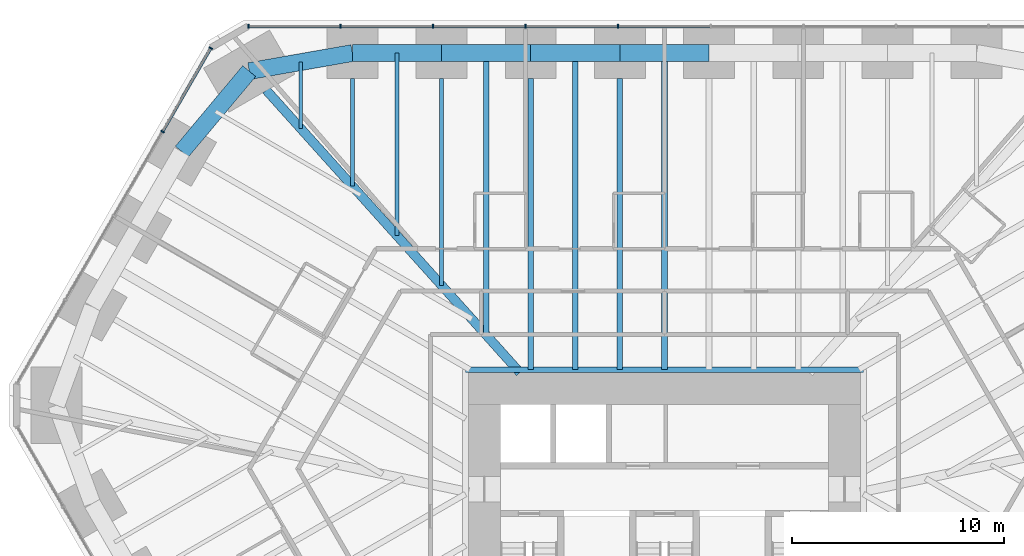
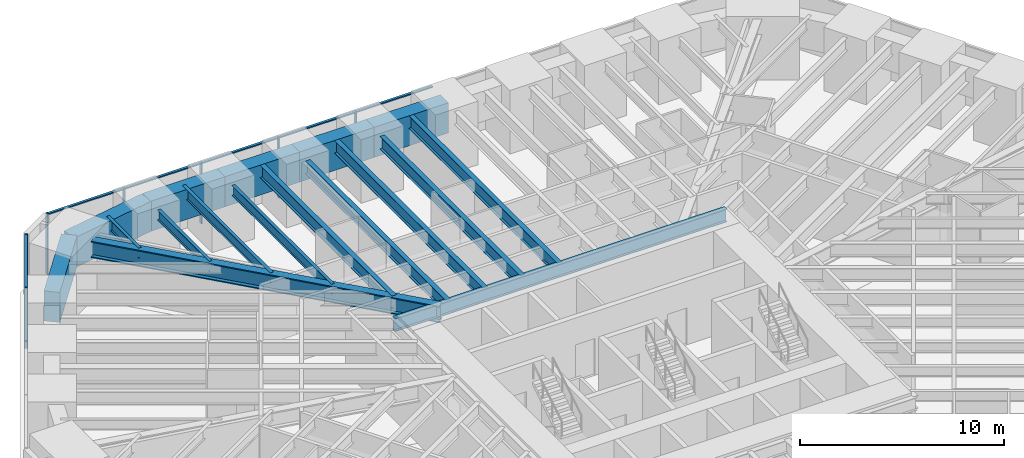
# One storey, part 8 of 17: 17 beams, 13 members, 2 elements without a shape of their own.
"""IFC4 building model written with IfcOpenShell, lengths in metres."""

from ifc_helpers import new_model, si_unit, direction, frame, origin, origin_2d, place, context, subcontext, project, spatial, rectangle, i_section, extrude, material, material_profile, profile_set, type_object, element, aggregate, save


model = new_model("IFC4")

# Units and contexts
model_context = context("Model", 3, precision=1e-05, world=origin(), true_north=direction((0.0, 1.0)))
body_context = subcontext(model_context, "Body", "Model", "MODEL_VIEW")
ifc_project = project(units=[si_unit("LENGTHUNIT", "METRE"), si_unit("AREAUNIT", "SQUARE_METRE"), si_unit("VOLUMEUNIT", "CUBIC_METRE"), si_unit("PLANEANGLEUNIT", "RADIAN"), si_unit("MASSUNIT", "GRAM", prefix="KILO")], contexts=[model_context])

# Site, building, storey
site_placement = place(None, origin())
site = spatial("IfcSite", under=ifc_project, at=site_placement, CompositionType="ELEMENT")
building_placement = place(site_placement, origin())
building = spatial("IfcBuilding", under=site, at=building_placement, Name="Sandreach Pilgrim Tower", CompositionType="ELEMENT")
storey_placement = place(building_placement, frame((0.0, 0.0, 42.0)))
storey = spatial("IfcBuildingStorey", under=building, at=storey_placement, Name="L09", CompositionType="ELEMENT", Elevation=42.0)

# Curtain wall, members
ifc_material_1 = material(Name="Aluminium framed curtain wall", Category="aluminium")
curtain_wall_type = type_object("IfcCurtainWallType", Name="Hostel tower curtain wall", PredefinedType="NOTDEFINED", material=ifc_material_1)
curtain_wall_1_placement = place(storey_placement, origin())
curtain_wall_1 = element("IfcCurtainWall", 1, at=curtain_wall_1_placement, inside=storey, type_object=curtain_wall_type, Name="CW-1 L09 N", PredefinedType="NOTDEFINED")
ifc_material_2 = material(Name="Aluminium extrusion", Category="aluminium")
ifc_material_profile_1 = material_profile(ifc_material_2, rectangle(XDim=0.06494140625, YDim=0.179931640625, at=origin_2d()), Name="CW-1M 65X180")
ifc_profile_set_1 = profile_set([ifc_material_profile_1], Name="Aluminium extrusion")
member_type_1 = type_object("IfcMemberType", Name="CW-1 mullion", PredefinedType="MULLION", material=ifc_profile_set_1)
member_1_placement = place(storey_placement, frame((-19.6396484375, 23.94873046875, 0.0), z_axis=(0.0, 0.0, 1.0), x_axis=(1.0, 0.0, 0.0)))
member_1 = element("IfcMember", 2, at=member_1_placement, type_object=member_type_1, Name="CW-1 mullion 1", PredefinedType="MULLION", context=body_context, shape_type="SweptSolid", body=[
    extrude(rectangle(XDim=0.06494140625, YDim=0.179931640625, at=origin_2d()), origin(), (0.0, 0.0, 1.0), 3.639892578125),
])
member_2_placement = place(storey_placement, frame((-15.300537109375, 23.94873046875, 0.0), z_axis=(0.0, 0.0, 1.0), x_axis=(1.0, 0.0, 0.0)))
member_2 = element("IfcMember", 3, at=member_2_placement, type_object=member_type_1, Name="CW-1 mullion 2", PredefinedType="MULLION", context=body_context, shape_type="SweptSolid", body=[
    extrude(rectangle(XDim=0.06494140625, YDim=0.179931640625, at=origin_2d()), origin(), (0.0, 0.0, 1.0), 3.639892578125),
])
member_3_placement = place(storey_placement, frame((-10.928955078125, 23.94873046875, 0.0), z_axis=(0.0, 0.0, 1.0), x_axis=(1.0, 0.0, 0.0)))
member_3 = element("IfcMember", 4, at=member_3_placement, type_object=member_type_1, Name="CW-1 mullion 3", PredefinedType="MULLION", context=body_context, shape_type="SweptSolid", body=[
    extrude(rectangle(XDim=0.06494140625, YDim=0.179931640625, at=origin_2d()), origin(), (0.0, 0.0, 1.0), 3.639892578125),
])
member_4_placement = place(storey_placement, frame((-6.557373046875, 23.94873046875, 0.0), z_axis=(0.0, 0.0, 1.0), x_axis=(1.0, 0.0, 0.0)))
member_4 = element("IfcMember", 5, at=member_4_placement, type_object=member_type_1, Name="CW-1 mullion 4", PredefinedType="MULLION", context=body_context, shape_type="SweptSolid", body=[
    extrude(rectangle(XDim=0.06494140625, YDim=0.179931640625, at=origin_2d()), origin(), (0.0, 0.0, 1.0), 3.639892578125),
])
member_5_placement = place(storey_placement, frame((-2.185791015625, 23.94873046875, 0.0), z_axis=(0.0, 0.0, 1.0), x_axis=(1.0, 0.0, 0.0)))
member_5 = element("IfcMember", 6, at=member_5_placement, type_object=member_type_1, Name="CW-1 mullion 5", PredefinedType="MULLION", context=body_context, shape_type="SweptSolid", body=[
    extrude(rectangle(XDim=0.06494140625, YDim=0.179931640625, at=origin_2d()), origin(), (0.0, 0.0, 1.0), 3.639892578125),
])

curtain_wall_2_placement = place(storey_placement, origin())
curtain_wall_2 = element("IfcCurtainWall", 7, at=curtain_wall_2_placement, inside=storey, type_object=curtain_wall_type, Name="CW-1 L09 NW", PredefinedType="NOTDEFINED")
member_6_placement = place(storey_placement, frame((-23.697265625, 18.97705078125, 0.0), z_axis=(0.0, 0.0, 1.0), x_axis=(0.5, 0.866025403784, 0.0)))
member_6 = element("IfcMember", 8, at=member_6_placement, type_object=member_type_1, Name="CW-1 mullion 4", PredefinedType="MULLION", context=body_context, shape_type="SweptSolid", body=[
    extrude(rectangle(XDim=0.06494140625, YDim=0.179931640625, at=origin_2d()), origin(), (0.0, 0.0, 1.0), 3.639892578125),
])
member_7_placement = place(storey_placement, frame((-21.42041015625, 22.920654296875, 0.0), z_axis=(0.0, 0.0, 1.0), x_axis=(0.5, 0.866025403784, 0.0)))
member_7 = element("IfcMember", 9, at=member_7_placement, type_object=member_type_1, Name="CW-1 mullion 5", PredefinedType="MULLION", context=body_context, shape_type="SweptSolid", body=[
    extrude(rectangle(XDim=0.06494140625, YDim=0.179931640625, at=origin_2d()), origin(), (0.0, 0.0, 1.0), 3.639892578125),
])

# Member
ifc_material_3 = material(Name="Aluminium extrusion", Category="aluminium")
ifc_material_profile_2 = material_profile(ifc_material_3, rectangle(XDim=0.139892578125, YDim=0.070068359375, at=origin_2d()), Name="CW-1T 140X70")
ifc_profile_set_2 = profile_set([ifc_material_profile_2], Name="Aluminium extrusion")
member_type_2 = type_object("IfcMemberType", Name="CW-1 transom", PredefinedType="USERDEFINED", material=ifc_profile_set_2)
member_8_placement = place(storey_placement, frame((-19.607177734375, 23.94873046875, 3.60498046875), z_axis=(1.0, 0.0, 0.0), x_axis=(0.0, 1.0, 0.0)))
member_8 = element("IfcMember", 10, at=member_8_placement, type_object=member_type_2, Name="CW-1 head transom 1", ObjectType="TRANSOM", PredefinedType="USERDEFINED", context=body_context, shape_type="SweptSolid", body=[
    extrude(rectangle(XDim=0.139892578125, YDim=0.070068359375, at=origin_2d()), origin(), (0.0, 0.0, 1.0), 4.274169921875),
])

member_9_placement = place(storey_placement, frame((-15.26806640625, 23.94873046875, 3.60498046875), z_axis=(1.0, 0.0, 0.0), x_axis=(0.0, 1.0, 0.0)))
member_9 = element("IfcMember", 11, at=member_9_placement, type_object=member_type_2, Name="CW-1 head transom 2", ObjectType="TRANSOM", PredefinedType="USERDEFINED", context=body_context, shape_type="SweptSolid", body=[
    extrude(rectangle(XDim=0.139892578125, YDim=0.070068359375, at=origin_2d()), origin(), (0.0, 0.0, 1.0), 4.306640625),
])

member_10_placement = place(storey_placement, frame((-10.896484375, 23.94873046875, 3.60498046875), z_axis=(1.0, 0.0, 0.0), x_axis=(0.0, 1.0, 0.0)))
member_10 = element("IfcMember", 12, at=member_10_placement, type_object=member_type_2, Name="CW-1 head transom 3", ObjectType="TRANSOM", PredefinedType="USERDEFINED", context=body_context, shape_type="SweptSolid", body=[
    extrude(rectangle(XDim=0.139892578125, YDim=0.070068359375, at=origin_2d()), origin(), (0.0, 0.0, 1.0), 4.306640625),
])

member_11_placement = place(storey_placement, frame((-6.52490234375, 23.94873046875, 3.60498046875), z_axis=(1.0, 0.0, 0.0), x_axis=(0.0, 1.0, 0.0)))
member_11 = element("IfcMember", 13, at=member_11_placement, type_object=member_type_2, Name="CW-1 head transom 4", ObjectType="TRANSOM", PredefinedType="USERDEFINED", context=body_context, shape_type="SweptSolid", body=[
    extrude(rectangle(XDim=0.139892578125, YDim=0.070068359375, at=origin_2d()), origin(), (0.0, 0.0, 1.0), 4.306640625),
])

member_12_placement = place(storey_placement, frame((-2.1533203125, 23.94873046875, 3.60498046875), z_axis=(1.0, 0.0, 0.0), x_axis=(0.0, 1.0, 0.0)))
member_12 = element("IfcMember", 14, at=member_12_placement, type_object=member_type_2, Name="CW-1 head transom 5", ObjectType="TRANSOM", PredefinedType="USERDEFINED", context=body_context, shape_type="SweptSolid", body=[
    extrude(rectangle(XDim=0.139892578125, YDim=0.070068359375, at=origin_2d()), origin(), (0.0, 0.0, 1.0), 4.306640625),
])

aggregate(curtain_wall_1, [member_1, member_2, member_3, member_4, member_5, member_8, member_9, member_10, member_11, member_12])

member_13_placement = place(storey_placement, frame((-23.680908203125, 19.005126953125, 3.60498046875), z_axis=(0.500017500808, 0.866015299452, 0.0), x_axis=(-0.866015299452, 0.500017500808, 0.0)))
member_13 = element("IfcMember", 15, at=member_13_placement, type_object=member_type_2, Name="CW-1 head transom 4", ObjectType="TRANSOM", PredefinedType="USERDEFINED", context=body_context, shape_type="SweptSolid", body=[
    extrude(rectangle(XDim=0.139892578125, YDim=0.070068359375, at=origin_2d()), origin(), (0.0, 0.0, 1.0), 4.488525390625),
])

aggregate(curtain_wall_2, [member_6, member_7, member_13])

# Beams
ifc_material_4 = material(Name="Steel ASTM A992 Grade 50", Category="steel")
ifc_material_profile_3 = material_profile(ifc_material_4, i_section(OverallWidth=0.2666015625, OverallDepth=0.77978515625, WebThickness=0.0166015625, FlangeThickness=0.030029296875, at=origin_2d()), Name="W30X148")
ifc_profile_set_3 = profile_set([ifc_material_profile_3], Name="Steel ASTM A992 Grade 50")
beam_type_1 = type_object("IfcBeamType", Name="Core edge beam W30X148", PredefinedType="BEAM", material=ifc_profile_set_3)
beam_1_placement = place(storey_placement, frame((-9.393310546875, 7.743408203125, 3.25), z_axis=(1.0, 0.0, 0.0), x_axis=(0.0, 1.0, 0.0)))
element("IfcBeam", 16, at=beam_1_placement, inside=storey, type_object=beam_type_1, Name="BM L09 CEN", PredefinedType="BEAM", context=body_context, shape_type="SweptSolid", body=[
    extrude(i_section(OverallWidth=0.2666015625, OverallDepth=0.77978515625, WebThickness=0.0166015625, FlangeThickness=0.030029296875, at=origin_2d()), origin(), (0.0, 0.0, 1.0), 18.78662109375),
])
ifc_material_5 = material(Name="Steel ASTM A992 Grade 50", Category="steel")
ifc_material_profile_4 = material_profile(ifc_material_5, i_section(OverallWidth=0.431884765625, OverallDepth=0.988037109375, WebThickness=0.034423828125, FlangeThickness=0.06201171875, at=origin_2d()), Name="W36X441")
ifc_profile_set_4 = profile_set([ifc_material_profile_4], Name="Steel ASTM A992 Grade 50")
beam_type_2 = type_object("IfcBeamType", Name="Corner girder W36X441", PredefinedType="BEAM", material=ifc_profile_set_4)
beam_2_placement = place(storey_placement, frame((-18.8046875, 20.94189453125, 3.14599609375), z_axis=(0.668127834846, -0.74404650144, 0.0), x_axis=(0.74404650144, 0.668127834846, 0.0)))
element("IfcBeam", 17, at=beam_2_placement, inside=storey, type_object=beam_type_2, Name="BM L09 CG39", PredefinedType="BEAM", context=body_context, shape_type="SweptSolid", body=[
    extrude(i_section(OverallWidth=0.431884765625, OverallDepth=0.988037109375, WebThickness=0.034423828125, FlangeThickness=0.06201171875, at=origin_2d()), origin(), (0.0, 0.0, 1.0), 17.931396484375),
])
ifc_material_6 = material(Name="Steel ASTM A992 Grade 50", Category="steel")
ifc_material_profile_5 = material_profile(ifc_material_6, i_section(OverallWidth=0.1787109375, OverallDepth=0.60205078125, WebThickness=0.010986328125, FlangeThickness=0.014892578125, at=origin_2d()), Name="W24X62")
ifc_profile_set_5 = profile_set([ifc_material_profile_5], Name="Steel ASTM A992 Grade 50")
beam_type_3 = type_object("IfcBeamType", Name="Floor beam W24X62", PredefinedType="BEAM", material=ifc_profile_set_5)
beam_3_placement = place(storey_placement, frame((-14.734619140625, 21.48876953125, 3.339111328125), z_axis=(0.0, -1.0, 0.0), x_axis=(1.0, 0.0, 0.0)))
element("IfcBeam", 18, at=beam_3_placement, inside=storey, type_object=beam_type_3, Name="BM L09 F01", PredefinedType="BEAM", context=body_context, shape_type="SweptSolid", body=[
    extrude(i_section(OverallWidth=0.1787109375, OverallDepth=0.60205078125, WebThickness=0.010986328125, FlangeThickness=0.014892578125, at=origin_2d()), origin(), (0.0, 0.0, 1.0), 5.079345703125),
])
beam_4_placement = place(storey_placement, frame((-10.52490234375, 21.48876953125, 3.339111328125), z_axis=(0.0, -1.0, 0.0), x_axis=(1.0, 0.0, 0.0)))
element("IfcBeam", 19, at=beam_4_placement, inside=storey, type_object=beam_type_3, Name="BM L09 F02", PredefinedType="BEAM", context=body_context, shape_type="SweptSolid", body=[
    extrude(i_section(OverallWidth=0.1787109375, OverallDepth=0.60205078125, WebThickness=0.010986328125, FlangeThickness=0.014892578125, at=origin_2d()), origin(), (0.0, 0.0, 1.0), 9.767822265625),
])
beam_5_placement = place(storey_placement, frame((-12.629638671875, 22.688720703125, 3.339111328125), z_axis=(0.0, -1.0, 0.0), x_axis=(1.0, 0.0, 0.0)))
element("IfcBeam", 20, at=beam_5_placement, inside=storey, type_object=beam_type_3, Name="BM L09 FM01", PredefinedType="BEAM", context=body_context, shape_type="SweptSolid", body=[
    extrude(i_section(OverallWidth=0.1787109375, OverallDepth=0.60205078125, WebThickness=0.010986328125, FlangeThickness=0.014892578125, at=origin_2d()), origin(), (0.0, 0.0, 1.0), 8.62353515625),
])
beam_6_placement = place(storey_placement, frame((-17.17041015625, 22.26171875, 3.339111328125), z_axis=(0.0, -1.0, 0.0), x_axis=(1.0, 0.0, 0.0)))
element("IfcBeam", 21, at=beam_6_placement, inside=storey, type_object=beam_type_3, Name="BM L09 FM39", PredefinedType="BEAM", context=body_context, shape_type="SweptSolid", body=[
    extrude(i_section(OverallWidth=0.1787109375, OverallDepth=0.60205078125, WebThickness=0.010986328125, FlangeThickness=0.014892578125, at=origin_2d()), origin(), (0.0, 0.0, 1.0), 3.1396484375),
])
ifc_material_7 = material(Name="Steel ASTM A992 Grade 50", Category="steel")
ifc_material_profile_6 = material_profile(ifc_material_7, i_section(OverallWidth=0.2666015625, OverallDepth=0.761962890625, WebThickness=0.014404296875, FlangeThickness=0.021484375, at=origin_2d()), Name="W30X116")
ifc_profile_set_6 = profile_set([ifc_material_profile_6], Name="Steel ASTM A992 Grade 50")
beam_type_4 = type_object("IfcBeamType", Name="Floor beam W30X116", PredefinedType="BEAM", material=ifc_profile_set_6)
for number, where, z_axis, x_axis, name in (
    (22, (-6.31494140625, 21.48876953125, 3.259033203125), (0.0, -1.0, 0.0), (1.0, 0.0, 0.0), "BM L09 F03"),
    (23, (-2.10498046875, 21.48876953125, 3.259033203125), (0.0, -1.0, 0.0), (1.0, 0.0, 0.0), "BM L09 F04"),
):
    element("IfcBeam", number, at=place(storey_placement, frame(where, z_axis=z_axis, x_axis=x_axis)), inside=storey, type_object=beam_type_4, Name=name, PredefinedType="BEAM", context=body_context, shape_type="SweptSolid", body=[
        extrude(i_section(OverallWidth=0.2666015625, OverallDepth=0.761962890625, WebThickness=0.014404296875, FlangeThickness=0.021484375, at=origin_2d()), origin(), (0.0, 0.0, 1.0), 13.745361328125),
    ])
beam_7_placement = place(storey_placement, frame((-8.419921875, 22.688720703125, 3.259033203125), z_axis=(0.0, -1.0, 0.0), x_axis=(1.0, 0.0, 0.0)))
element("IfcBeam", 24, at=beam_7_placement, inside=storey, type_object=beam_type_4, Name="BM L09 FM02", PredefinedType="BEAM", context=body_context, shape_type="SweptSolid", body=[
    extrude(i_section(OverallWidth=0.2666015625, OverallDepth=0.761962890625, WebThickness=0.014404296875, FlangeThickness=0.021484375, at=origin_2d()), origin(), (0.0, 0.0, 1.0), 13.311767578125),
])
for number, where, z_axis, x_axis, name in (
    (25, (-4.2099609375, 22.688720703125, 3.259033203125), (0.0, -1.0, 0.0), (1.0, 0.0, 0.0), "BM L09 FM03"),
    (26, (0.0, 22.688720703125, 3.259033203125), (0.0, -1.0, 0.0), (1.0, 0.0, 0.0), "BM L09 FM04"),
):
    element("IfcBeam", number, at=place(storey_placement, frame(where, z_axis=z_axis, x_axis=x_axis)), inside=storey, type_object=beam_type_4, Name=name, PredefinedType="BEAM", context=body_context, shape_type="SweptSolid", body=[
        extrude(i_section(OverallWidth=0.2666015625, OverallDepth=0.761962890625, WebThickness=0.014404296875, FlangeThickness=0.021484375, at=origin_2d()), origin(), (0.0, 0.0, 1.0), 14.9453125),
    ])
ifc_material_8 = material(Name="Concrete 10000 psi", Category="concrete")
ifc_material_profile_7 = material_profile(ifc_material_8, rectangle(XDim=0.800048828125, YDim=1.800048828125, at=origin_2d()), Name="RC800X1800")
ifc_profile_set_7 = profile_set([ifc_material_profile_7], Name="Concrete 10000 psi")
beam_type_5 = type_object("IfcBeamType", Name="Spandrel beam RC800X1800", PredefinedType="SPANDREL", material=ifc_profile_set_7)
beam_8_placement = place(storey_placement, frame((-14.734619140625, 22.688720703125, 2.739990234375), z_axis=(1.0, 0.0, 0.0), x_axis=(0.0, 1.0, 0.0)))
element("IfcBeam", 27, at=beam_8_placement, inside=storey, type_object=beam_type_5, Name="BM L09 SP01", PredefinedType="SPANDREL", context=body_context, shape_type="SweptSolid", body=[
    extrude(rectangle(XDim=0.800048828125, YDim=1.800048828125, at=origin_2d()), origin(), (0.0, 0.0, 1.0), 4.209716796875),
])
for number, where, z_axis, x_axis, name in (
    (28, (-10.52490234375, 22.688720703125, 2.739990234375), (1.0, 0.0, 0.0), (0.0, 1.0, 0.0), "BM L09 SP02"),
    (29, (-6.31494140625, 22.688720703125, 2.739990234375), (1.0, 0.0, 0.0), (0.0, 1.0, 0.0), "BM L09 SP03"),
    (30, (-2.10498046875, 22.688720703125, 2.739990234375), (1.0, 0.0, 0.0), (0.0, 1.0, 0.0), "BM L09 SP04"),
):
    element("IfcBeam", number, at=place(storey_placement, frame(where, z_axis=z_axis, x_axis=x_axis)), inside=storey, type_object=beam_type_5, Name=name, PredefinedType="SPANDREL", context=body_context, shape_type="SweptSolid", body=[
        extrude(rectangle(XDim=0.800048828125, YDim=1.800048828125, at=origin_2d()), origin(), (0.0, 0.0, 1.0), 4.2099609375),
    ])
beam_9_placement = place(storey_placement, frame((-22.787841796875, 18.031982421875, 2.739990234375), z_axis=(0.641665295114, 0.766984777584, 0.0), x_axis=(-0.766984777584, 0.641665295114, 0.0)))
element("IfcBeam", 31, at=beam_9_placement, inside=storey, type_object=beam_type_5, Name="BM L09 SP38", PredefinedType="SPANDREL", context=body_context, shape_type="SweptSolid", body=[
    extrude(rectangle(XDim=0.800048828125, YDim=1.800048828125, at=origin_2d()), origin(), (0.0, 0.0, 1.0), 4.9580078125),
])
beam_10_placement = place(storey_placement, frame((-19.6064453125, 21.834716796875, 2.739990234375), z_axis=(0.984981186582, 0.172661698355, 0.0), x_axis=(-0.172661698355, 0.984981186582, 0.0)))
element("IfcBeam", 32, at=beam_10_placement, inside=storey, type_object=beam_type_5, Name="BM L09 SP39", PredefinedType="SPANDREL", context=body_context, shape_type="SweptSolid", body=[
    extrude(rectangle(XDim=0.800048828125, YDim=1.800048828125, at=origin_2d()), origin(), (0.0, 0.0, 1.0), 4.946044921875),
])

save(model, "model.ifc")
